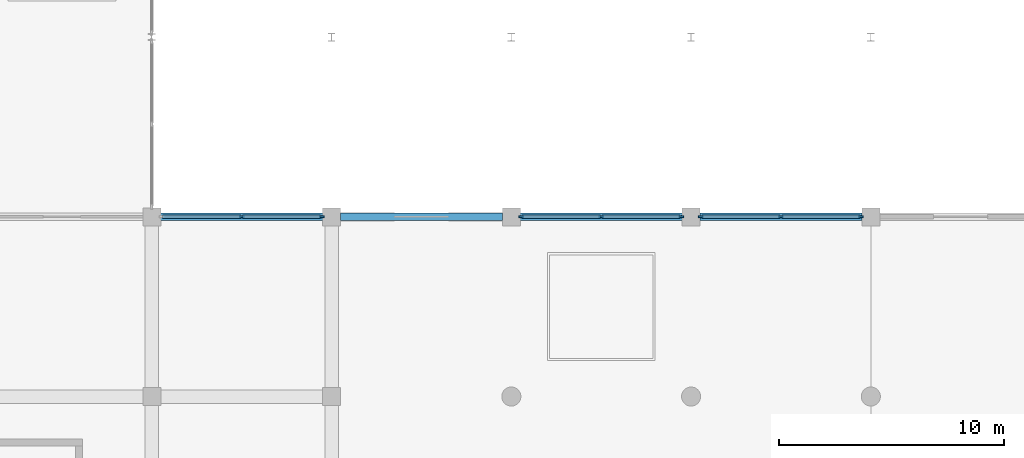
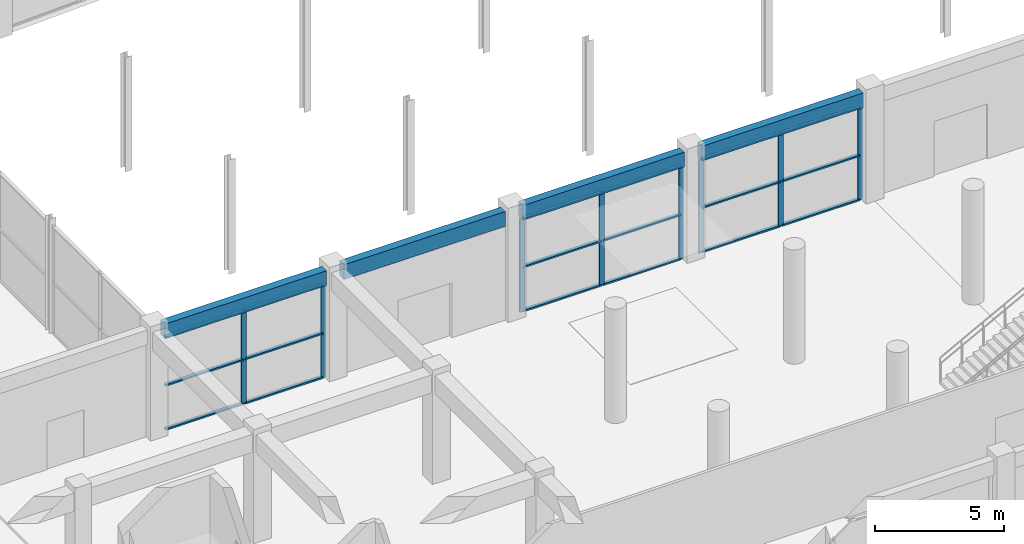
# One storey, part 23 of 86: 26 members, 4 beams, 3 elements without a shape of their own.
"""IFC4 building model written with IfcOpenShell, lengths in metres."""

from ifc_helpers import new_model, si_unit, direction, frame, origin, origin_2d, place, context, subcontext, project, spatial, rectangle, extrude, material, material_profile, profile_set, type_object, element, aggregate, save


model = new_model("IFC4")

# Units and contexts
model_context = context("Model", 3, precision=1e-05, world=origin(), true_north=direction((0.0, 1.0)))
body_context = subcontext(model_context, "Body", "Model", "MODEL_VIEW")
ifc_project = project(units=[si_unit("LENGTHUNIT", "METRE"), si_unit("AREAUNIT", "SQUARE_METRE"), si_unit("VOLUMEUNIT", "CUBIC_METRE"), si_unit("PLANEANGLEUNIT", "RADIAN"), si_unit("MASSUNIT", "GRAM", prefix="KILO")], contexts=[model_context])

# Site, building, storey
site_placement = place(None, origin())
site = spatial("IfcSite", under=ifc_project, at=site_placement, CompositionType="ELEMENT")
building_placement = place(site_placement, origin())
building = spatial("IfcBuilding", under=site, at=building_placement, Name="Kenh Van Central Station", CompositionType="ELEMENT")
storey_placement = place(building_placement, origin())
storey = spatial("IfcBuildingStorey", under=building, at=storey_placement, Name="L00", CompositionType="ELEMENT", Elevation=0.0)

# Curtain wall, members
ifc_material_1 = material(Name="Champagne anodised aluminium", Category="aluminium")
curtain_wall_type = type_object("IfcCurtainWallType", Name="CW-CONC-B", PredefinedType="NOTDEFINED", material=ifc_material_1)
curtain_wall_1_placement = place(storey_placement, origin())
curtain_wall_1 = element("IfcCurtainWall", 1, at=curtain_wall_1_placement, inside=storey, type_object=curtain_wall_type, Name="L00 curtain wall 026", PredefinedType="NOTDEFINED")
ifc_material_profile_1 = material_profile(ifc_material_1, rectangle(XDim=0.08203125, YDim=0.22509765625, at=origin_2d()), Name="AL 82x225")
ifc_profile_set_1 = profile_set([ifc_material_profile_1], Name="Champagne anodised aluminium")
member_type_1 = type_object("IfcMemberType", Name="CWM-70x180", PredefinedType="MULLION", material=ifc_profile_set_1)
member_1_placement = place(storey_placement, frame((87.55908203125, 40.0, 0.0), z_axis=(0.0, 0.0, 1.0), x_axis=(0.0, -1.0, 0.0)))
member_1 = element("IfcMember", 2, at=member_1_placement, type_object=member_type_1, Name="CW-04 mullion 1", PredefinedType="MULLION", context=body_context, shape_type="SweptSolid", body=[
    extrude(rectangle(XDim=0.08203125, YDim=0.22509765625, at=origin_2d()), origin(), (0.0, 0.0, 1.0), 4.419921875),
])
member_2_placement = place(storey_placement, frame((84.0, 40.0, 0.0), z_axis=(0.0, 0.0, 1.0), x_axis=(0.0, -1.0, 0.0)))
member_2 = element("IfcMember", 3, at=member_2_placement, type_object=member_type_1, Name="CW-04 mullion 2", PredefinedType="MULLION", context=body_context, shape_type="SweptSolid", body=[
    extrude(rectangle(XDim=0.08203125, YDim=0.22509765625, at=origin_2d()), origin(), (0.0, 0.0, 1.0), 4.419921875),
])
member_3_placement = place(storey_placement, frame((80.44091796875, 40.0, 0.0), z_axis=(0.0, 0.0, 1.0), x_axis=(0.0, -1.0, 0.0)))
member_3 = element("IfcMember", 4, at=member_3_placement, type_object=member_type_1, Name="CW-04 mullion 3", PredefinedType="MULLION", context=body_context, shape_type="SweptSolid", body=[
    extrude(rectangle(XDim=0.08203125, YDim=0.22509765625, at=origin_2d()), origin(), (0.0, 0.0, 1.0), 4.419921875),
])

curtain_wall_2_placement = place(storey_placement, origin())
curtain_wall_2 = element("IfcCurtainWall", 5, at=curtain_wall_2_placement, inside=storey, type_object=curtain_wall_type, Name="L00 curtain wall 027", PredefinedType="NOTDEFINED")
member_4_placement = place(storey_placement, frame((79.55908203125, 40.0, 0.0), z_axis=(0.0, 0.0, 1.0), x_axis=(0.0, -1.0, 0.0)))
member_4 = element("IfcMember", 6, at=member_4_placement, type_object=member_type_1, Name="CW-04 mullion 1", PredefinedType="MULLION", context=body_context, shape_type="SweptSolid", body=[
    extrude(rectangle(XDim=0.08203125, YDim=0.22509765625, at=origin_2d()), origin(), (0.0, 0.0, 1.0), 4.419921875),
])
member_5_placement = place(storey_placement, frame((76.0, 40.0, 0.0), z_axis=(0.0, 0.0, 1.0), x_axis=(0.0, -1.0, 0.0)))
member_5 = element("IfcMember", 7, at=member_5_placement, type_object=member_type_1, Name="CW-04 mullion 2", PredefinedType="MULLION", context=body_context, shape_type="SweptSolid", body=[
    extrude(rectangle(XDim=0.08203125, YDim=0.22509765625, at=origin_2d()), origin(), (0.0, 0.0, 1.0), 4.419921875),
])
member_6_placement = place(storey_placement, frame((72.44091796875, 40.0, 0.0), z_axis=(0.0, 0.0, 1.0), x_axis=(0.0, -1.0, 0.0)))
member_6 = element("IfcMember", 8, at=member_6_placement, type_object=member_type_1, Name="CW-04 mullion 3", PredefinedType="MULLION", context=body_context, shape_type="SweptSolid", body=[
    extrude(rectangle(XDim=0.08203125, YDim=0.22509765625, at=origin_2d()), origin(), (0.0, 0.0, 1.0), 4.419921875),
])

curtain_wall_3_placement = place(storey_placement, origin())
curtain_wall_3 = element("IfcCurtainWall", 9, at=curtain_wall_3_placement, inside=storey, type_object=curtain_wall_type, Name="L00 curtain wall 028", PredefinedType="NOTDEFINED")
member_7_placement = place(storey_placement, frame((63.55908203125, 40.0, 0.0), z_axis=(0.0, 0.0, 1.0), x_axis=(0.0, -1.0, 0.0)))
member_7 = element("IfcMember", 10, at=member_7_placement, type_object=member_type_1, Name="CW-04 mullion 1", PredefinedType="MULLION", context=body_context, shape_type="SweptSolid", body=[
    extrude(rectangle(XDim=0.08203125, YDim=0.22509765625, at=origin_2d()), origin(), (0.0, 0.0, 1.0), 4.419921875),
])
member_8_placement = place(storey_placement, frame((60.0, 40.0, 0.0), z_axis=(0.0, 0.0, 1.0), x_axis=(0.0, -1.0, 0.0)))
member_8 = element("IfcMember", 11, at=member_8_placement, type_object=member_type_1, Name="CW-04 mullion 2", PredefinedType="MULLION", context=body_context, shape_type="SweptSolid", body=[
    extrude(rectangle(XDim=0.08203125, YDim=0.22509765625, at=origin_2d()), origin(), (0.0, 0.0, 1.0), 4.419921875),
])

# Member
ifc_material_profile_2 = material_profile(ifc_material_1, rectangle(XDim=0.155029296875, YDim=0.072021484375, at=origin_2d()), Name="AL 155x72")
ifc_profile_set_2 = profile_set([ifc_material_profile_2], Name="Champagne anodised aluminium")
member_type_2 = type_object("IfcMemberType", Name="CWT-120x60", PredefinedType="USERDEFINED", material=ifc_profile_set_2)
member_9_placement = place(storey_placement, frame((87.51806640625, 40.0, 0.035888671875), z_axis=(-1.0, 0.0, 0.0), x_axis=(0.0, -1.0, 0.0)))
member_9 = element("IfcMember", 12, at=member_9_placement, type_object=member_type_2, Name="CW-04 transom 1.1", ObjectType="TRANSOM", PredefinedType="USERDEFINED", context=body_context, shape_type="SweptSolid", body=[
    extrude(rectangle(XDim=0.155029296875, YDim=0.072021484375, at=origin_2d()), origin(), (0.0, 0.0, 1.0), 3.47705078125),
])

member_10_placement = place(storey_placement, frame((87.51806640625, 40.0, 2.12158203125), z_axis=(-1.0, 0.0, 0.0), x_axis=(0.0, -1.0, 0.0)))
member_10 = element("IfcMember", 13, at=member_10_placement, type_object=member_type_2, Name="CW-04 transom 1.2", ObjectType="TRANSOM", PredefinedType="USERDEFINED", context=body_context, shape_type="SweptSolid", body=[
    extrude(rectangle(XDim=0.155029296875, YDim=0.072021484375, at=origin_2d()), origin(), (0.0, 0.0, 1.0), 3.47705078125),
])

member_11_placement = place(storey_placement, frame((87.51806640625, 40.0, 4.384033203125), z_axis=(-1.0, 0.0, 0.0), x_axis=(0.0, -1.0, 0.0)))
member_11 = element("IfcMember", 14, at=member_11_placement, type_object=member_type_2, Name="CW-04 transom 1.3", ObjectType="TRANSOM", PredefinedType="USERDEFINED", context=body_context, shape_type="SweptSolid", body=[
    extrude(rectangle(XDim=0.155029296875, YDim=0.072021484375, at=origin_2d()), origin(), (0.0, 0.0, 1.0), 3.47705078125),
])

member_12_placement = place(storey_placement, frame((83.958984375, 40.0, 0.035888671875), z_axis=(-1.0, 0.0, 0.0), x_axis=(0.0, -1.0, 0.0)))
member_12 = element("IfcMember", 15, at=member_12_placement, type_object=member_type_2, Name="CW-04 transom 2.1", ObjectType="TRANSOM", PredefinedType="USERDEFINED", context=body_context, shape_type="SweptSolid", body=[
    extrude(rectangle(XDim=0.155029296875, YDim=0.072021484375, at=origin_2d()), origin(), (0.0, 0.0, 1.0), 3.47705078125),
])

member_13_placement = place(storey_placement, frame((83.958984375, 40.0, 2.12158203125), z_axis=(-1.0, 0.0, 0.0), x_axis=(0.0, -1.0, 0.0)))
member_13 = element("IfcMember", 16, at=member_13_placement, type_object=member_type_2, Name="CW-04 transom 2.2", ObjectType="TRANSOM", PredefinedType="USERDEFINED", context=body_context, shape_type="SweptSolid", body=[
    extrude(rectangle(XDim=0.155029296875, YDim=0.072021484375, at=origin_2d()), origin(), (0.0, 0.0, 1.0), 3.47705078125),
])

member_14_placement = place(storey_placement, frame((83.958984375, 40.0, 4.384033203125), z_axis=(-1.0, 0.0, 0.0), x_axis=(0.0, -1.0, 0.0)))
member_14 = element("IfcMember", 17, at=member_14_placement, type_object=member_type_2, Name="CW-04 transom 2.3", ObjectType="TRANSOM", PredefinedType="USERDEFINED", context=body_context, shape_type="SweptSolid", body=[
    extrude(rectangle(XDim=0.155029296875, YDim=0.072021484375, at=origin_2d()), origin(), (0.0, 0.0, 1.0), 3.47705078125),
])

aggregate(curtain_wall_1, [member_1, member_2, member_3, member_9, member_10, member_11, member_12, member_13, member_14])

member_15_placement = place(storey_placement, frame((79.51806640625, 40.0, 0.035888671875), z_axis=(-1.0, 0.0, 0.0), x_axis=(0.0, -1.0, 0.0)))
member_15 = element("IfcMember", 18, at=member_15_placement, type_object=member_type_2, Name="CW-04 transom 1.1", ObjectType="TRANSOM", PredefinedType="USERDEFINED", context=body_context, shape_type="SweptSolid", body=[
    extrude(rectangle(XDim=0.155029296875, YDim=0.072021484375, at=origin_2d()), origin(), (0.0, 0.0, 1.0), 3.47705078125),
])

member_16_placement = place(storey_placement, frame((79.51806640625, 40.0, 2.12158203125), z_axis=(-1.0, 0.0, 0.0), x_axis=(0.0, -1.0, 0.0)))
member_16 = element("IfcMember", 19, at=member_16_placement, type_object=member_type_2, Name="CW-04 transom 1.2", ObjectType="TRANSOM", PredefinedType="USERDEFINED", context=body_context, shape_type="SweptSolid", body=[
    extrude(rectangle(XDim=0.155029296875, YDim=0.072021484375, at=origin_2d()), origin(), (0.0, 0.0, 1.0), 3.47705078125),
])

member_17_placement = place(storey_placement, frame((79.51806640625, 40.0, 4.384033203125), z_axis=(-1.0, 0.0, 0.0), x_axis=(0.0, -1.0, 0.0)))
member_17 = element("IfcMember", 20, at=member_17_placement, type_object=member_type_2, Name="CW-04 transom 1.3", ObjectType="TRANSOM", PredefinedType="USERDEFINED", context=body_context, shape_type="SweptSolid", body=[
    extrude(rectangle(XDim=0.155029296875, YDim=0.072021484375, at=origin_2d()), origin(), (0.0, 0.0, 1.0), 3.47705078125),
])

member_18_placement = place(storey_placement, frame((75.958984375, 40.0, 0.035888671875), z_axis=(-1.0, 0.0, 0.0), x_axis=(0.0, -1.0, 0.0)))
member_18 = element("IfcMember", 21, at=member_18_placement, type_object=member_type_2, Name="CW-04 transom 2.1", ObjectType="TRANSOM", PredefinedType="USERDEFINED", context=body_context, shape_type="SweptSolid", body=[
    extrude(rectangle(XDim=0.155029296875, YDim=0.072021484375, at=origin_2d()), origin(), (0.0, 0.0, 1.0), 3.47705078125),
])

member_19_placement = place(storey_placement, frame((75.958984375, 40.0, 2.12158203125), z_axis=(-1.0, 0.0, 0.0), x_axis=(0.0, -1.0, 0.0)))
member_19 = element("IfcMember", 22, at=member_19_placement, type_object=member_type_2, Name="CW-04 transom 2.2", ObjectType="TRANSOM", PredefinedType="USERDEFINED", context=body_context, shape_type="SweptSolid", body=[
    extrude(rectangle(XDim=0.155029296875, YDim=0.072021484375, at=origin_2d()), origin(), (0.0, 0.0, 1.0), 3.47705078125),
])

member_20_placement = place(storey_placement, frame((75.958984375, 40.0, 4.384033203125), z_axis=(-1.0, 0.0, 0.0), x_axis=(0.0, -1.0, 0.0)))
member_20 = element("IfcMember", 23, at=member_20_placement, type_object=member_type_2, Name="CW-04 transom 2.3", ObjectType="TRANSOM", PredefinedType="USERDEFINED", context=body_context, shape_type="SweptSolid", body=[
    extrude(rectangle(XDim=0.155029296875, YDim=0.072021484375, at=origin_2d()), origin(), (0.0, 0.0, 1.0), 3.47705078125),
])

aggregate(curtain_wall_2, [member_4, member_5, member_6, member_15, member_16, member_17, member_18, member_19, member_20])

member_21_placement = place(storey_placement, frame((63.51806640625, 40.0, 0.035888671875), z_axis=(-1.0, 0.0, 0.0), x_axis=(0.0, -1.0, 0.0)))
member_21 = element("IfcMember", 24, at=member_21_placement, type_object=member_type_2, Name="CW-04 transom 1.1", ObjectType="TRANSOM", PredefinedType="USERDEFINED", context=body_context, shape_type="SweptSolid", body=[
    extrude(rectangle(XDim=0.155029296875, YDim=0.072021484375, at=origin_2d()), origin(), (0.0, 0.0, 1.0), 3.47705078125),
])

member_22_placement = place(storey_placement, frame((63.51806640625, 40.0, 2.12158203125), z_axis=(-1.0, 0.0, 0.0), x_axis=(0.0, -1.0, 0.0)))
member_22 = element("IfcMember", 25, at=member_22_placement, type_object=member_type_2, Name="CW-04 transom 1.2", ObjectType="TRANSOM", PredefinedType="USERDEFINED", context=body_context, shape_type="SweptSolid", body=[
    extrude(rectangle(XDim=0.155029296875, YDim=0.072021484375, at=origin_2d()), origin(), (0.0, 0.0, 1.0), 3.47705078125),
])

member_23_placement = place(storey_placement, frame((63.51806640625, 40.0, 4.384033203125), z_axis=(-1.0, 0.0, 0.0), x_axis=(0.0, -1.0, 0.0)))
member_23 = element("IfcMember", 26, at=member_23_placement, type_object=member_type_2, Name="CW-04 transom 1.3", ObjectType="TRANSOM", PredefinedType="USERDEFINED", context=body_context, shape_type="SweptSolid", body=[
    extrude(rectangle(XDim=0.155029296875, YDim=0.072021484375, at=origin_2d()), origin(), (0.0, 0.0, 1.0), 3.47705078125),
])

member_24_placement = place(storey_placement, frame((59.958984375, 40.0, 0.035888671875), z_axis=(-1.0, 0.0, 0.0), x_axis=(0.0, -1.0, 0.0)))
member_24 = element("IfcMember", 27, at=member_24_placement, type_object=member_type_2, Name="CW-04 transom 2.1", ObjectType="TRANSOM", PredefinedType="USERDEFINED", context=body_context, shape_type="SweptSolid", body=[
    extrude(rectangle(XDim=0.155029296875, YDim=0.072021484375, at=origin_2d()), origin(), (0.0, 0.0, 1.0), 3.47705078125),
])

member_25_placement = place(storey_placement, frame((59.958984375, 40.0, 2.12158203125), z_axis=(-1.0, 0.0, 0.0), x_axis=(0.0, -1.0, 0.0)))
member_25 = element("IfcMember", 28, at=member_25_placement, type_object=member_type_2, Name="CW-04 transom 2.2", ObjectType="TRANSOM", PredefinedType="USERDEFINED", context=body_context, shape_type="SweptSolid", body=[
    extrude(rectangle(XDim=0.155029296875, YDim=0.072021484375, at=origin_2d()), origin(), (0.0, 0.0, 1.0), 3.47705078125),
])

member_26_placement = place(storey_placement, frame((59.958984375, 40.0, 4.384033203125), z_axis=(-1.0, 0.0, 0.0), x_axis=(0.0, -1.0, 0.0)))
member_26 = element("IfcMember", 29, at=member_26_placement, type_object=member_type_2, Name="CW-04 transom 2.3", ObjectType="TRANSOM", PredefinedType="USERDEFINED", context=body_context, shape_type="SweptSolid", body=[
    extrude(rectangle(XDim=0.155029296875, YDim=0.072021484375, at=origin_2d()), origin(), (0.0, 0.0, 1.0), 3.47705078125),
])

aggregate(curtain_wall_3, [member_7, member_8, member_21, member_22, member_23, member_24, member_25, member_26])

# Beams
ifc_material_2 = material(Name="Concrete C35/45", Category="concrete")
ifc_material_profile_3 = material_profile(ifc_material_2, rectangle(XDim=0.35009765625, YDim=0.699951171875, at=origin_2d()), Name="RC 350x700")
ifc_profile_set_3 = profile_set([ifc_material_profile_3], Name="Concrete C35/45")
beam_type = type_object("IfcBeamType", Name="SPD-RC-350x700", PredefinedType="SPANDREL", material=ifc_profile_set_3)
for number, where, z_axis, x_axis, name in (
    (30, (56.389892578125, 40.0, 4.77001953125), (1.0, 0.0, 0.0), (0.0, 1.0, 0.0), "L00 beam 0412"),
    (31, (64.389892578125, 40.0, 4.77001953125), (1.0, 0.0, 0.0), (0.0, 1.0, 0.0), "L00 beam 0413"),
    (32, (72.389892578125, 40.0, 4.77001953125), (1.0, 0.0, 0.0), (0.0, 1.0, 0.0), "L00 beam 0414"),
    (33, (80.389892578125, 40.0, 4.77001953125), (1.0, 0.0, 0.0), (0.0, 1.0, 0.0), "L00 beam 0415"),
):
    element("IfcBeam", number, at=place(storey_placement, frame(where, z_axis=z_axis, x_axis=x_axis)), inside=storey, type_object=beam_type, Name=name, PredefinedType="SPANDREL", context=body_context, shape_type="SweptSolid", body=[
        extrude(rectangle(XDim=0.35009765625, YDim=0.699951171875, at=origin_2d()), origin(), (0.0, 0.0, 1.0), 7.22021484375),
    ])

save(model, "model.ifc")
